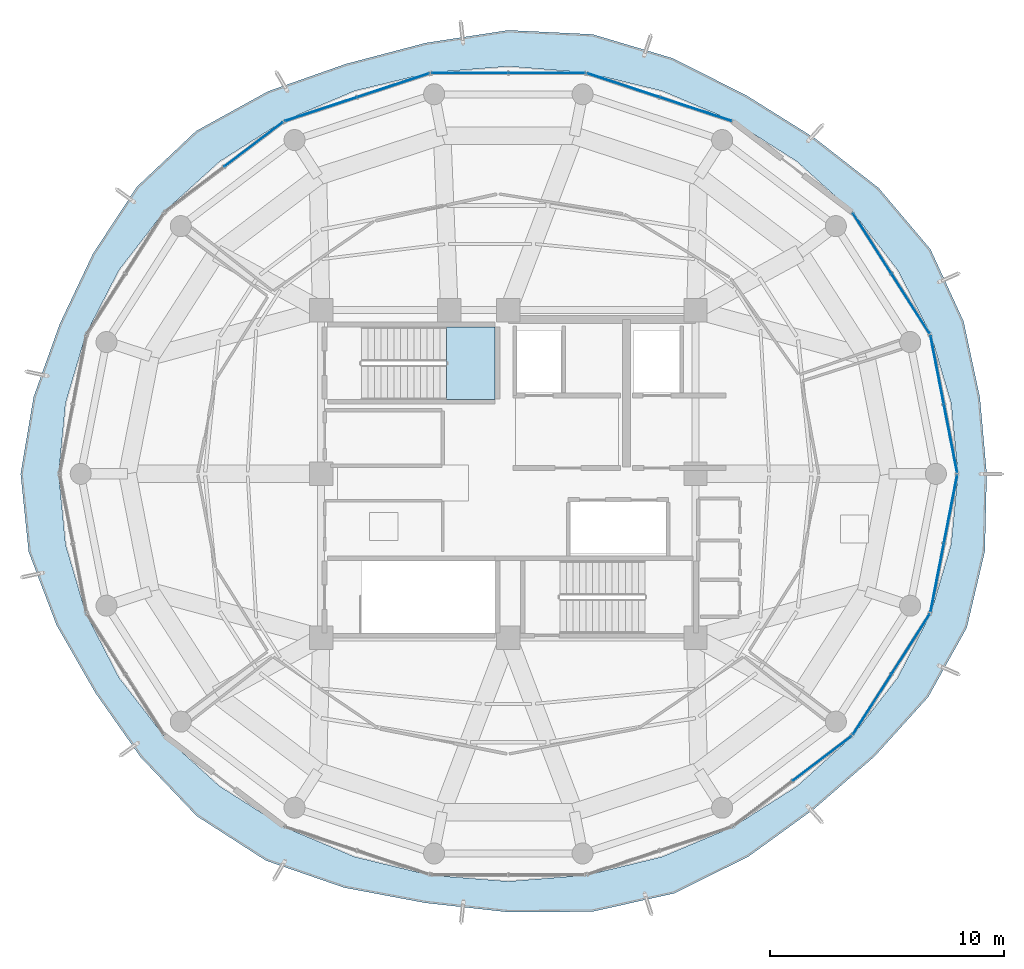
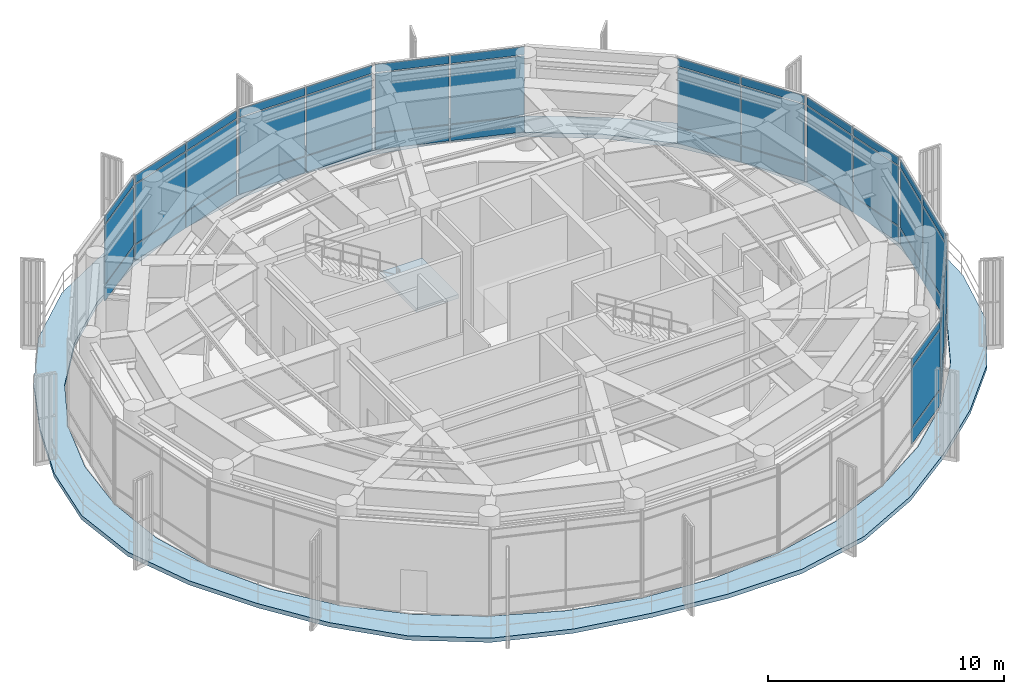
# One storey, part 17 of 23: 48 plates, 2 slabs, 10 elements without a shape of their own.
"""IFC4 building model written with IfcOpenShell, lengths in metres."""

from ifc_helpers import new_model, si_unit, direction, frame, origin, origin_2d, place, context, subcontext, project, spatial, polyline, rectangle, outline, extrude, source, transform, mapped, material, layer, layer_set, type_object, element, aggregate, save


model = new_model("IFC4")

# Units and contexts
model_context = context("Model", 3, precision=1e-05, world=origin(), true_north=direction((0.0, 1.0)))
body_context = subcontext(model_context, "Body", "Model", "MODEL_VIEW")
ifc_project = project(units=[si_unit("LENGTHUNIT", "METRE"), si_unit("AREAUNIT", "SQUARE_METRE"), si_unit("VOLUMEUNIT", "CUBIC_METRE"), si_unit("PLANEANGLEUNIT", "RADIAN"), si_unit("MASSUNIT", "GRAM", prefix="KILO")], contexts=[model_context])

# Site, building, storey
site_placement = place(None, origin())
site = spatial("IfcSite", under=ifc_project, at=site_placement, CompositionType="ELEMENT")
building_placement = place(site_placement, origin())
building = spatial("IfcBuilding", under=site, at=building_placement, Name="Kelanora Arch Commons", CompositionType="ELEMENT")
storey_placement = place(building_placement, frame((0.0, 0.0, 293.699951171875)))
storey = spatial("IfcBuildingStorey", under=building, at=storey_placement, Name="L75", CompositionType="ELEMENT", Elevation=293.699951171875)

# Stair, slab
ifc_material_1 = material(Name="Concrete C40/50", Category="concrete")
stair_type = type_object("IfcStairType", Name="STR-DL-480", PredefinedType="HALF_TURN_STAIR", material=ifc_material_1)
stair_placement = place(storey_placement, origin())
stair = element("IfcStair", 1, at=stair_placement, inside=storey, type_object=stair_type, Name="L75 ST-T1", PredefinedType="HALF_TURN_STAIR")
ifc_layer_1 = layer(ifc_material_1, 0.199951171875)
ifc_layer_set_1 = layer_set([ifc_layer_1], Name="Concrete C40/50")
slab_type_1 = type_object("IfcSlabType", Name="SLB-STAIR-LND", PredefinedType="LANDING", material=ifc_layer_set_1)
slab_1_placement = place(storey_placement, frame((0.0, 0.0, 2.199951171875)))
slab_1 = element("IfcSlab", 2, at=slab_1_placement, type_object=slab_type_1, Name="ST-T1 landing 1", PredefinedType="LANDING", context=body_context, shape_type="SweptSolid", body=[
    extrude(outline(polyline([(71.360107421875, 61.179931640625), (73.43994140625, 61.179931640625), (73.43994140625, 64.2900390625), (71.360107421875, 64.2900390625), (71.360107421875, 61.179931640625)])), origin(), (0.0, 0.0, 1.0), 0.2001953125),
])
aggregate(stair, [slab_1])

# Slab
ifc_layer_2 = layer(ifc_material_1, 0.219970703125)
ifc_layer_set_2 = layer_set([ifc_layer_2], Name="Concrete C40/50")
slab_type_2 = type_object("IfcSlabType", Name="SLB-WAVE-BAL", PredefinedType="FLOOR", material=ifc_layer_set_2)
slab_2_placement = place(storey_placement, frame((0.0, 0.0, -0.219970703125)))
element("IfcSlab", 3, at=slab_2_placement, inside=storey, type_object=slab_type_2, Name="Sinusoidal Wave Balcony Slab L75", PredefinedType="FLOOR", context=body_context, shape_type="SweptSolid", body=[
    extrude(outline(polyline([(94.45068359375, 58.0), (94.15869140625, 61.264892578125), (93.460693359375, 64.52099609375), (92.044677734375, 67.602783203125), (89.82958984375, 70.22314453125), (87.112548828125, 72.343017578125), (84.179931640625, 74.177001953125), (81.033447265625, 75.765625), (77.5986328125, 76.791259765625), (74.0, 76.965087890625), (70.46044921875, 76.42138671875), (67.046630859375, 75.5224609375), (63.727783203125, 74.353515625), (60.64990234375, 72.655517578125), (58.119384765625, 70.27001953125), (56.246337890625, 67.417236328125), (54.822509765625, 64.406982421875), (53.70751953125, 61.290771484375), (53.15087890625, 58.0), (53.495361328125, 54.66796875), (54.685302734375, 51.537841796875), (56.343505859375, 48.64453125), (58.28564453125, 45.8837890625), (60.674072265625, 43.37646484375), (63.635498046875, 41.469970703125), (66.991455078125, 40.310302734375), (70.472900390625, 39.65625), (74.0, 39.264892578125), (77.586181640625, 39.28662109375), (81.088623046875, 40.067138671875), (84.272216796875, 41.646484375), (87.08837890625, 43.688720703125), (89.66357421875, 45.930908203125), (91.947509765625, 48.458984375), (93.597900390625, 51.424072265625), (94.370849609375, 54.694091796875), (94.45068359375, 58.0)]), holes=[polyline([(92.927978515625, 54.97509765625), (92.060791015625, 52.0419921875), (90.64501953125, 49.2900390625), (88.723388671875, 46.802490234375), (86.3544921875, 44.655517578125), (83.610107421875, 42.913818359375), (80.573486328125, 41.630615234375), (77.33740234375, 40.844482421875), (74.0, 40.580078125), (70.66259765625, 40.844482421875), (67.426513671875, 41.630615234375), (64.389892578125, 42.913818359375), (61.6455078125, 44.655517578125), (59.276611328125, 46.802490234375), (57.35498046875, 49.2900390625), (55.939208984375, 52.0419921875), (55.072021484375, 54.97509765625), (54.780029296875, 58.0), (55.072021484375, 61.02490234375), (55.939208984375, 63.9580078125), (57.35498046875, 66.7099609375), (59.276611328125, 69.197509765625), (61.6455078125, 71.344482421875), (64.389892578125, 73.086181640625), (67.426513671875, 74.369384765625), (70.66259765625, 75.155517578125), (74.0, 75.419921875), (77.33740234375, 75.155517578125), (80.573486328125, 74.369384765625), (83.610107421875, 73.086181640625), (86.3544921875, 71.344482421875), (88.723388671875, 69.197509765625), (90.64501953125, 66.7099609375), (92.060791015625, 63.9580078125), (92.927978515625, 61.02490234375), (93.219970703125, 58.0), (92.927978515625, 54.97509765625)])]), origin(), (0.0, 0.0, 1.0), 0.219970703125),
])

# Curtain wall, plates
ifc_material_2 = material(Name="Terracotta ceramic-fritted low-E glass and aluminium", Category="masonry")
ifc_layer_3 = layer(ifc_material_2, 0.22509765625)
ifc_layer_set_3 = layer_set([ifc_layer_3], Name="Terracotta ceramic-fritted low-E glass and aluminium")
curtain_wall_type = type_object("IfcCurtainWallType", Name="CW-SYS-05", PredefinedType="NOTDEFINED", material=ifc_layer_set_3)
curtain_wall_1_placement = place(storey_placement, origin())
curtain_wall_1 = element("IfcCurtainWall", 4, at=curtain_wall_1_placement, inside=storey, type_object=curtain_wall_type, Name="Unitised Curtain Wall L75-B00", PredefinedType="NOTDEFINED")
ifc_material_3 = material(Name="Clear laminated solar-control double glazing", Category="glass")
ifc_layer_4 = layer(ifc_material_3, 0.033935546875)
ifc_layer_set_4 = layer_set([ifc_layer_4], Name="Clear laminated solar-control double glazing")
plate_type = type_object("IfcPlateType", Name="CWP-CLR", PredefinedType="CURTAIN_PANEL", material=ifc_layer_set_4)
shared_shape_1 = source(origin(), body_context, "Body", "SweptSolid", [
    extrude(rectangle(XDim=2.926513671875, YDim=0.033935546875, at=origin_2d()), origin(), (0.0, 0.0, 1.0), 0.81005859375),
])
plate_1_placement = place(storey_placement, frame((92.90625, 59.509765625, 0.06005859375), z_axis=(0.0, 0.0, 1.0), x_axis=(-0.190971701941, 0.981595542501, 0.0)))
plate_1 = element("IfcPlate", 5, at=plate_1_placement, type_object=plate_type, Name="CW-05 panel 1.1", PredefinedType="CURTAIN_PANEL", context=body_context, shape_type="MappedRepresentation", body=[
    mapped(shared_shape_1, transform((0.0, 0.0, 0.0), scale=1.0)),
])
plate_2_placement = place(storey_placement, frame((92.3359375, 62.44140625, 0.06005859375), z_axis=(0.0, 0.0, 1.0), x_axis=(-0.190971701941, 0.981595542501, 0.0)))
plate_2 = element("IfcPlate", 6, at=plate_2_placement, type_object=plate_type, Name="CW-05 panel 2.1", PredefinedType="CURTAIN_PANEL", context=body_context, shape_type="MappedRepresentation", body=[
    mapped(shared_shape_1, transform((0.0, 0.0, 0.0), scale=1.0)),
])

curtain_wall_2_placement = place(storey_placement, origin())
curtain_wall_2 = element("IfcCurtainWall", 7, at=curtain_wall_2_placement, inside=storey, type_object=curtain_wall_type, Name="Unitised Curtain Wall L75-B17", PredefinedType="NOTDEFINED")
plate_3_placement = place(storey_placement, frame((92.3359375, 53.55859375, 0.06005859375), z_axis=(0.0, 0.0, 1.0), x_axis=(0.190971701941, 0.981595542501, 0.0)))
plate_3 = element("IfcPlate", 8, at=plate_3_placement, type_object=plate_type, Name="CW-05 panel 1.1", PredefinedType="CURTAIN_PANEL", context=body_context, shape_type="MappedRepresentation", body=[
    mapped(shared_shape_1, transform((0.0, 0.0, 0.0), scale=1.0)),
])
plate_4_placement = place(storey_placement, frame((92.90625, 56.490234375, 0.06005859375), z_axis=(0.0, 0.0, 1.0), x_axis=(0.190971701941, 0.981595542501, 0.0)))
plate_4 = element("IfcPlate", 9, at=plate_4_placement, type_object=plate_type, Name="CW-05 panel 2.1", PredefinedType="CURTAIN_PANEL", context=body_context, shape_type="MappedRepresentation", body=[
    mapped(shared_shape_1, transform((0.0, 0.0, 0.0), scale=1.0)),
])

# Plate
shared_shape_2 = source(origin(), body_context, "Body", "SweptSolid", [
    extrude(rectangle(XDim=2.926513671875, YDim=0.033935546875, at=origin_2d()), origin(), (0.0, 0.0, 1.0), 3.06494140625),
])
plate_5_placement = place(storey_placement, frame((92.90625, 59.509765625, 0.93017578125), z_axis=(0.0, 0.0, 1.0), x_axis=(-0.190971701941, 0.981595542501, 0.0)))
plate_5 = element("IfcPlate", 10, at=plate_5_placement, type_object=plate_type, Name="CW-05 panel 1.2", PredefinedType="CURTAIN_PANEL", context=body_context, shape_type="MappedRepresentation", body=[
    mapped(shared_shape_2, transform((0.0, 0.0, 0.0), scale=1.0)),
])

plate_6_placement = place(storey_placement, frame((92.3359375, 62.44140625, 0.93017578125), z_axis=(0.0, 0.0, 1.0), x_axis=(-0.190971701941, 0.981595542501, 0.0)))
plate_6 = element("IfcPlate", 11, at=plate_6_placement, type_object=plate_type, Name="CW-05 panel 2.2", PredefinedType="CURTAIN_PANEL", context=body_context, shape_type="MappedRepresentation", body=[
    mapped(shared_shape_2, transform((0.0, 0.0, 0.0), scale=1.0)),
])

plate_7_placement = place(storey_placement, frame((92.3359375, 53.55859375, 0.93017578125), z_axis=(0.0, 0.0, 1.0), x_axis=(0.190971701941, 0.981595542501, 0.0)))
plate_7 = element("IfcPlate", 12, at=plate_7_placement, type_object=plate_type, Name="CW-05 panel 1.2", PredefinedType="CURTAIN_PANEL", context=body_context, shape_type="MappedRepresentation", body=[
    mapped(shared_shape_2, transform((0.0, 0.0, 0.0), scale=1.0)),
])

plate_8_placement = place(storey_placement, frame((92.90625, 56.490234375, 0.93017578125), z_axis=(0.0, 0.0, 1.0), x_axis=(0.190971701941, 0.981595542501, 0.0)))
plate_8 = element("IfcPlate", 13, at=plate_8_placement, type_object=plate_type, Name="CW-05 panel 2.2", PredefinedType="CURTAIN_PANEL", context=body_context, shape_type="MappedRepresentation", body=[
    mapped(shared_shape_2, transform((0.0, 0.0, 0.0), scale=1.0)),
])

shared_shape_3 = source(origin(), body_context, "Body", "SweptSolid", [
    extrude(rectangle(XDim=2.926513671875, YDim=0.033935546875, at=origin_2d()), origin(), (0.0, 0.0, 1.0), 0.409912109375),
])
plate_9_placement = place(storey_placement, frame((92.90625, 59.509765625, 4.05517578125), z_axis=(0.0, 0.0, 1.0), x_axis=(-0.190971701941, 0.981595542501, 0.0)))
plate_9 = element("IfcPlate", 14, at=plate_9_placement, type_object=plate_type, Name="CW-05 panel 1.3", PredefinedType="CURTAIN_PANEL", context=body_context, shape_type="MappedRepresentation", body=[
    mapped(shared_shape_3, transform((0.0, 0.0, 0.0), scale=1.0)),
])

plate_10_placement = place(storey_placement, frame((92.3359375, 62.44140625, 4.05517578125), z_axis=(0.0, 0.0, 1.0), x_axis=(-0.190971701941, 0.981595542501, 0.0)))
plate_10 = element("IfcPlate", 15, at=plate_10_placement, type_object=plate_type, Name="CW-05 panel 2.3", PredefinedType="CURTAIN_PANEL", context=body_context, shape_type="MappedRepresentation", body=[
    mapped(shared_shape_3, transform((0.0, 0.0, 0.0), scale=1.0)),
])

aggregate(curtain_wall_1, [plate_1, plate_5, plate_9, plate_2, plate_6, plate_10])

plate_11_placement = place(storey_placement, frame((92.3359375, 53.55859375, 4.05517578125), z_axis=(0.0, 0.0, 1.0), x_axis=(0.190971701941, 0.981595542501, 0.0)))
plate_11 = element("IfcPlate", 16, at=plate_11_placement, type_object=plate_type, Name="CW-05 panel 1.3", PredefinedType="CURTAIN_PANEL", context=body_context, shape_type="MappedRepresentation", body=[
    mapped(shared_shape_3, transform((0.0, 0.0, 0.0), scale=1.0)),
])

plate_12_placement = place(storey_placement, frame((92.90625, 56.490234375, 4.05517578125), z_axis=(0.0, 0.0, 1.0), x_axis=(0.190971701941, 0.981595542501, 0.0)))
plate_12 = element("IfcPlate", 17, at=plate_12_placement, type_object=plate_type, Name="CW-05 panel 2.3", PredefinedType="CURTAIN_PANEL", context=body_context, shape_type="MappedRepresentation", body=[
    mapped(shared_shape_3, transform((0.0, 0.0, 0.0), scale=1.0)),
])

aggregate(curtain_wall_2, [plate_3, plate_7, plate_11, plate_4, plate_8, plate_12])

# Curtain wall, plates
curtain_wall_3_placement = place(storey_placement, origin())
curtain_wall_3 = element("IfcCurtainWall", 18, at=curtain_wall_3_placement, inside=storey, type_object=curtain_wall_type, Name="Unitised Curtain Wall L75-B01", PredefinedType="NOTDEFINED")
shared_shape_4 = source(origin(), body_context, "Body", "SweptSolid", [
    extrude(rectangle(XDim=2.99755859375, YDim=0.033935546875, at=origin_2d()), origin(), (0.0, 0.0, 1.0), 0.81005859375),
])
plate_13_placement = place(storey_placement, frame((91.196533203125, 65.278564453125, 0.06005859375), z_axis=(0.0, 0.0, 1.0), x_axis=(-0.537299814397, 0.843391314545, 0.0)))
plate_13 = element("IfcPlate", 19, at=plate_13_placement, type_object=plate_type, Name="CW-05 panel 1.1", PredefinedType="CURTAIN_PANEL", context=body_context, shape_type="MappedRepresentation", body=[
    mapped(shared_shape_4, transform((0.0, 0.0, 0.0), scale=1.0)),
])
plate_14_placement = place(storey_placement, frame((89.5537109375, 67.857177734375, 0.06005859375), z_axis=(0.0, 0.0, 1.0), x_axis=(-0.537299814397, 0.843391314545, 0.0)))
plate_14 = element("IfcPlate", 20, at=plate_14_placement, type_object=plate_type, Name="CW-05 panel 2.1", PredefinedType="CURTAIN_PANEL", context=body_context, shape_type="MappedRepresentation", body=[
    mapped(shared_shape_4, transform((0.0, 0.0, 0.0), scale=1.0)),
])

curtain_wall_4_placement = place(storey_placement, origin())
curtain_wall_4 = element("IfcCurtainWall", 21, at=curtain_wall_4_placement, inside=storey, type_object=curtain_wall_type, Name="Unitised Curtain Wall L75-B16", PredefinedType="NOTDEFINED")
plate_15_placement = place(storey_placement, frame((89.5537109375, 48.142822265625, 0.06005859375), z_axis=(0.0, 0.0, 1.0), x_axis=(0.537299814397, 0.843391314545, 0.0)))
plate_15 = element("IfcPlate", 22, at=plate_15_placement, type_object=plate_type, Name="CW-05 panel 1.1", PredefinedType="CURTAIN_PANEL", context=body_context, shape_type="MappedRepresentation", body=[
    mapped(shared_shape_4, transform((0.0, 0.0, 0.0), scale=1.0)),
])
plate_16_placement = place(storey_placement, frame((91.196533203125, 50.721435546875, 0.06005859375), z_axis=(0.0, 0.0, 1.0), x_axis=(0.537299814397, 0.843391314545, 0.0)))
plate_16 = element("IfcPlate", 23, at=plate_16_placement, type_object=plate_type, Name="CW-05 panel 2.1", PredefinedType="CURTAIN_PANEL", context=body_context, shape_type="MappedRepresentation", body=[
    mapped(shared_shape_4, transform((0.0, 0.0, 0.0), scale=1.0)),
])

# Plate
shared_shape_5 = source(origin(), body_context, "Body", "SweptSolid", [
    extrude(rectangle(XDim=2.99755859375, YDim=0.033935546875, at=origin_2d()), origin(), (0.0, 0.0, 1.0), 3.06494140625),
])
plate_17_placement = place(storey_placement, frame((91.196533203125, 65.278564453125, 0.93017578125), z_axis=(0.0, 0.0, 1.0), x_axis=(-0.537299814397, 0.843391314545, 0.0)))
plate_17 = element("IfcPlate", 24, at=plate_17_placement, type_object=plate_type, Name="CW-05 panel 1.2", PredefinedType="CURTAIN_PANEL", context=body_context, shape_type="MappedRepresentation", body=[
    mapped(shared_shape_5, transform((0.0, 0.0, 0.0), scale=1.0)),
])

plate_18_placement = place(storey_placement, frame((89.5537109375, 67.857177734375, 0.93017578125), z_axis=(0.0, 0.0, 1.0), x_axis=(-0.537299814397, 0.843391314545, 0.0)))
plate_18 = element("IfcPlate", 25, at=plate_18_placement, type_object=plate_type, Name="CW-05 panel 2.2", PredefinedType="CURTAIN_PANEL", context=body_context, shape_type="MappedRepresentation", body=[
    mapped(shared_shape_5, transform((0.0, 0.0, 0.0), scale=1.0)),
])

plate_19_placement = place(storey_placement, frame((89.5537109375, 48.142822265625, 0.93017578125), z_axis=(0.0, 0.0, 1.0), x_axis=(0.537299814397, 0.843391314545, 0.0)))
plate_19 = element("IfcPlate", 26, at=plate_19_placement, type_object=plate_type, Name="CW-05 panel 1.2", PredefinedType="CURTAIN_PANEL", context=body_context, shape_type="MappedRepresentation", body=[
    mapped(shared_shape_5, transform((0.0, 0.0, 0.0), scale=1.0)),
])

plate_20_placement = place(storey_placement, frame((91.196533203125, 50.721435546875, 0.93017578125), z_axis=(0.0, 0.0, 1.0), x_axis=(0.537299814397, 0.843391314545, 0.0)))
plate_20 = element("IfcPlate", 27, at=plate_20_placement, type_object=plate_type, Name="CW-05 panel 2.2", PredefinedType="CURTAIN_PANEL", context=body_context, shape_type="MappedRepresentation", body=[
    mapped(shared_shape_5, transform((0.0, 0.0, 0.0), scale=1.0)),
])

shared_shape_6 = source(origin(), body_context, "Body", "SweptSolid", [
    extrude(rectangle(XDim=2.99755859375, YDim=0.033935546875, at=origin_2d()), origin(), (0.0, 0.0, 1.0), 0.409912109375),
])
plate_21_placement = place(storey_placement, frame((91.196533203125, 65.278564453125, 4.05517578125), z_axis=(0.0, 0.0, 1.0), x_axis=(-0.537299814397, 0.843391314545, 0.0)))
plate_21 = element("IfcPlate", 28, at=plate_21_placement, type_object=plate_type, Name="CW-05 panel 1.3", PredefinedType="CURTAIN_PANEL", context=body_context, shape_type="MappedRepresentation", body=[
    mapped(shared_shape_6, transform((0.0, 0.0, 0.0), scale=1.0)),
])

plate_22_placement = place(storey_placement, frame((89.5537109375, 67.857177734375, 4.05517578125), z_axis=(0.0, 0.0, 1.0), x_axis=(-0.537299814397, 0.843391314545, 0.0)))
plate_22 = element("IfcPlate", 29, at=plate_22_placement, type_object=plate_type, Name="CW-05 panel 2.3", PredefinedType="CURTAIN_PANEL", context=body_context, shape_type="MappedRepresentation", body=[
    mapped(shared_shape_6, transform((0.0, 0.0, 0.0), scale=1.0)),
])

aggregate(curtain_wall_3, [plate_13, plate_17, plate_21, plate_14, plate_18, plate_22])

plate_23_placement = place(storey_placement, frame((89.5537109375, 48.142822265625, 4.05517578125), z_axis=(0.0, 0.0, 1.0), x_axis=(0.537299814397, 0.843391314545, 0.0)))
plate_23 = element("IfcPlate", 30, at=plate_23_placement, type_object=plate_type, Name="CW-05 panel 1.3", PredefinedType="CURTAIN_PANEL", context=body_context, shape_type="MappedRepresentation", body=[
    mapped(shared_shape_6, transform((0.0, 0.0, 0.0), scale=1.0)),
])

plate_24_placement = place(storey_placement, frame((91.196533203125, 50.721435546875, 4.05517578125), z_axis=(0.0, 0.0, 1.0), x_axis=(0.537299814397, 0.843391314545, 0.0)))
plate_24 = element("IfcPlate", 31, at=plate_24_placement, type_object=plate_type, Name="CW-05 panel 2.3", PredefinedType="CURTAIN_PANEL", context=body_context, shape_type="MappedRepresentation", body=[
    mapped(shared_shape_6, transform((0.0, 0.0, 0.0), scale=1.0)),
])

aggregate(curtain_wall_4, [plate_15, plate_19, plate_23, plate_16, plate_20, plate_24])

# Curtain wall, plates
curtain_wall_5_placement = place(storey_placement, origin())
curtain_wall_5 = element("IfcCurtainWall", 32, at=curtain_wall_5_placement, inside=storey, type_object=curtain_wall_type, Name="Unitised Curtain Wall L75-B03", PredefinedType="NOTDEFINED")
shared_shape_7 = source(origin(), body_context, "Body", "SweptSolid", [
    extrude(rectangle(XDim=3.194091796875, YDim=0.033935546875, at=origin_2d()), origin(), (0.0, 0.0, 1.0), 0.81005859375),
])
plate_25_placement = place(storey_placement, frame((82.01220703125, 73.592529296875, 0.06005859375), z_axis=(0.0, 0.0, 1.0), x_axis=(-0.949669780752, 0.313252785344, 0.0)))
plate_25 = element("IfcPlate", 33, at=plate_25_placement, type_object=plate_type, Name="CW-05 panel 1.1", PredefinedType="CURTAIN_PANEL", context=body_context, shape_type="MappedRepresentation", body=[
    mapped(shared_shape_7, transform((0.0, 0.0, 0.0), scale=1.0)),
])
plate_26_placement = place(storey_placement, frame((78.921875, 74.61181640625, 0.06005859375), z_axis=(0.0, 0.0, 1.0), x_axis=(-0.949669780752, 0.313252785344, 0.0)))
plate_26 = element("IfcPlate", 34, at=plate_26_placement, type_object=plate_type, Name="CW-05 panel 2.1", PredefinedType="CURTAIN_PANEL", context=body_context, shape_type="MappedRepresentation", body=[
    mapped(shared_shape_7, transform((0.0, 0.0, 0.0), scale=1.0)),
])

curtain_wall_6_placement = place(storey_placement, origin())
curtain_wall_6 = element("IfcCurtainWall", 35, at=curtain_wall_6_placement, inside=storey, type_object=curtain_wall_type, Name="Unitised Curtain Wall L75-B05", PredefinedType="NOTDEFINED")
plate_27_placement = place(storey_placement, frame((69.078125, 74.61181640625, 0.06005859375), z_axis=(0.0, 0.0, 1.0), x_axis=(-0.949669780752, -0.313252785344, 0.0)))
plate_27 = element("IfcPlate", 36, at=plate_27_placement, type_object=plate_type, Name="CW-05 panel 1.1", PredefinedType="CURTAIN_PANEL", context=body_context, shape_type="MappedRepresentation", body=[
    mapped(shared_shape_7, transform((0.0, 0.0, 0.0), scale=1.0)),
])
plate_28_placement = place(storey_placement, frame((65.98779296875, 73.592529296875, 0.06005859375), z_axis=(0.0, 0.0, 1.0), x_axis=(-0.949669780752, -0.313252785344, 0.0)))
plate_28 = element("IfcPlate", 37, at=plate_28_placement, type_object=plate_type, Name="CW-05 panel 2.1", PredefinedType="CURTAIN_PANEL", context=body_context, shape_type="MappedRepresentation", body=[
    mapped(shared_shape_7, transform((0.0, 0.0, 0.0), scale=1.0)),
])

# Plate
shared_shape_8 = source(origin(), body_context, "Body", "SweptSolid", [
    extrude(rectangle(XDim=3.194091796875, YDim=0.033935546875, at=origin_2d()), origin(), (0.0, 0.0, 1.0), 3.06494140625),
])
plate_29_placement = place(storey_placement, frame((82.01220703125, 73.592529296875, 0.93017578125), z_axis=(0.0, 0.0, 1.0), x_axis=(-0.949669780752, 0.313252785344, 0.0)))
plate_29 = element("IfcPlate", 38, at=plate_29_placement, type_object=plate_type, Name="CW-05 panel 1.2", PredefinedType="CURTAIN_PANEL", context=body_context, shape_type="MappedRepresentation", body=[
    mapped(shared_shape_8, transform((0.0, 0.0, 0.0), scale=1.0)),
])

plate_30_placement = place(storey_placement, frame((78.921875, 74.61181640625, 0.93017578125), z_axis=(0.0, 0.0, 1.0), x_axis=(-0.949669780752, 0.313252785344, 0.0)))
plate_30 = element("IfcPlate", 39, at=plate_30_placement, type_object=plate_type, Name="CW-05 panel 2.2", PredefinedType="CURTAIN_PANEL", context=body_context, shape_type="MappedRepresentation", body=[
    mapped(shared_shape_8, transform((0.0, 0.0, 0.0), scale=1.0)),
])

plate_31_placement = place(storey_placement, frame((69.078125, 74.61181640625, 0.93017578125), z_axis=(0.0, 0.0, 1.0), x_axis=(-0.949669780752, -0.313252785344, 0.0)))
plate_31 = element("IfcPlate", 40, at=plate_31_placement, type_object=plate_type, Name="CW-05 panel 1.2", PredefinedType="CURTAIN_PANEL", context=body_context, shape_type="MappedRepresentation", body=[
    mapped(shared_shape_8, transform((0.0, 0.0, 0.0), scale=1.0)),
])

plate_32_placement = place(storey_placement, frame((65.98779296875, 73.592529296875, 0.93017578125), z_axis=(0.0, 0.0, 1.0), x_axis=(-0.949669780752, -0.313252785344, 0.0)))
plate_32 = element("IfcPlate", 41, at=plate_32_placement, type_object=plate_type, Name="CW-05 panel 2.2", PredefinedType="CURTAIN_PANEL", context=body_context, shape_type="MappedRepresentation", body=[
    mapped(shared_shape_8, transform((0.0, 0.0, 0.0), scale=1.0)),
])

shared_shape_9 = source(origin(), body_context, "Body", "SweptSolid", [
    extrude(rectangle(XDim=3.194091796875, YDim=0.033935546875, at=origin_2d()), origin(), (0.0, 0.0, 1.0), 0.409912109375),
])
plate_33_placement = place(storey_placement, frame((82.01220703125, 73.592529296875, 4.05517578125), z_axis=(0.0, 0.0, 1.0), x_axis=(-0.949669780752, 0.313252785344, 0.0)))
plate_33 = element("IfcPlate", 42, at=plate_33_placement, type_object=plate_type, Name="CW-05 panel 1.3", PredefinedType="CURTAIN_PANEL", context=body_context, shape_type="MappedRepresentation", body=[
    mapped(shared_shape_9, transform((0.0, 0.0, 0.0), scale=1.0)),
])

plate_34_placement = place(storey_placement, frame((78.921875, 74.61181640625, 4.05517578125), z_axis=(0.0, 0.0, 1.0), x_axis=(-0.949669780752, 0.313252785344, 0.0)))
plate_34 = element("IfcPlate", 43, at=plate_34_placement, type_object=plate_type, Name="CW-05 panel 2.3", PredefinedType="CURTAIN_PANEL", context=body_context, shape_type="MappedRepresentation", body=[
    mapped(shared_shape_9, transform((0.0, 0.0, 0.0), scale=1.0)),
])

aggregate(curtain_wall_5, [plate_25, plate_29, plate_33, plate_26, plate_30, plate_34])

plate_35_placement = place(storey_placement, frame((69.078125, 74.61181640625, 4.05517578125), z_axis=(0.0, 0.0, 1.0), x_axis=(-0.949669780752, -0.313252785344, 0.0)))
plate_35 = element("IfcPlate", 44, at=plate_35_placement, type_object=plate_type, Name="CW-05 panel 1.3", PredefinedType="CURTAIN_PANEL", context=body_context, shape_type="MappedRepresentation", body=[
    mapped(shared_shape_9, transform((0.0, 0.0, 0.0), scale=1.0)),
])

plate_36_placement = place(storey_placement, frame((65.98779296875, 73.592529296875, 4.05517578125), z_axis=(0.0, 0.0, 1.0), x_axis=(-0.949669780752, -0.313252785344, 0.0)))
plate_36 = element("IfcPlate", 45, at=plate_36_placement, type_object=plate_type, Name="CW-05 panel 2.3", PredefinedType="CURTAIN_PANEL", context=body_context, shape_type="MappedRepresentation", body=[
    mapped(shared_shape_9, transform((0.0, 0.0, 0.0), scale=1.0)),
])

aggregate(curtain_wall_6, [plate_27, plate_31, plate_35, plate_28, plate_32, plate_36])

# Curtain wall, plates
curtain_wall_7_placement = place(storey_placement, origin())
curtain_wall_7 = element("IfcCurtainWall", 46, at=curtain_wall_7_placement, inside=storey, type_object=curtain_wall_type, Name="Unitised Curtain Wall L75-B04", PredefinedType="NOTDEFINED")
shared_shape_10 = source(origin(), body_context, "Body", "SweptSolid", [
    extrude(rectangle(XDim=3.22900390625, YDim=0.033935546875, at=origin_2d()), origin(), (0.0, 0.0, 1.0), 0.81005859375),
])
plate_37_placement = place(storey_placement, frame((75.64453125, 75.1357421875, 0.06005859375), z_axis=(0.0, 0.0, 1.0), x_axis=(-1.0, 0.0, 0.0)))
plate_37 = element("IfcPlate", 47, at=plate_37_placement, type_object=plate_type, Name="CW-05 panel 1.1", PredefinedType="CURTAIN_PANEL", context=body_context, shape_type="MappedRepresentation", body=[
    mapped(shared_shape_10, transform((0.0, 0.0, 0.0), scale=1.0)),
])
plate_38_placement = place(storey_placement, frame((72.35546875, 75.1357421875, 0.06005859375), z_axis=(0.0, 0.0, 1.0), x_axis=(-1.0, 0.0, 0.0)))
plate_38 = element("IfcPlate", 48, at=plate_38_placement, type_object=plate_type, Name="CW-05 panel 2.1", PredefinedType="CURTAIN_PANEL", context=body_context, shape_type="MappedRepresentation", body=[
    mapped(shared_shape_10, transform((0.0, 0.0, 0.0), scale=1.0)),
])
shared_shape_11 = source(origin(), body_context, "Body", "SweptSolid", [
    extrude(rectangle(XDim=3.22900390625, YDim=0.033935546875, at=origin_2d()), origin(), (0.0, 0.0, 1.0), 3.06494140625),
])
plate_39_placement = place(storey_placement, frame((75.64453125, 75.1357421875, 0.93017578125), z_axis=(0.0, 0.0, 1.0), x_axis=(-1.0, 0.0, 0.0)))
plate_39 = element("IfcPlate", 49, at=plate_39_placement, type_object=plate_type, Name="CW-05 panel 1.2", PredefinedType="CURTAIN_PANEL", context=body_context, shape_type="MappedRepresentation", body=[
    mapped(shared_shape_11, transform((0.0, 0.0, 0.0), scale=1.0)),
])
plate_40_placement = place(storey_placement, frame((72.35546875, 75.1357421875, 0.93017578125), z_axis=(0.0, 0.0, 1.0), x_axis=(-1.0, 0.0, 0.0)))
plate_40 = element("IfcPlate", 50, at=plate_40_placement, type_object=plate_type, Name="CW-05 panel 2.2", PredefinedType="CURTAIN_PANEL", context=body_context, shape_type="MappedRepresentation", body=[
    mapped(shared_shape_11, transform((0.0, 0.0, 0.0), scale=1.0)),
])
shared_shape_12 = source(origin(), body_context, "Body", "SweptSolid", [
    extrude(rectangle(XDim=3.22900390625, YDim=0.033935546875, at=origin_2d()), origin(), (0.0, 0.0, 1.0), 0.409912109375),
])
plate_41_placement = place(storey_placement, frame((75.64453125, 75.1357421875, 4.05517578125), z_axis=(0.0, 0.0, 1.0), x_axis=(-1.0, 0.0, 0.0)))
plate_41 = element("IfcPlate", 51, at=plate_41_placement, type_object=plate_type, Name="CW-05 panel 1.3", PredefinedType="CURTAIN_PANEL", context=body_context, shape_type="MappedRepresentation", body=[
    mapped(shared_shape_12, transform((0.0, 0.0, 0.0), scale=1.0)),
])
plate_42_placement = place(storey_placement, frame((72.35546875, 75.1357421875, 4.05517578125), z_axis=(0.0, 0.0, 1.0), x_axis=(-1.0, 0.0, 0.0)))
plate_42 = element("IfcPlate", 52, at=plate_42_placement, type_object=plate_type, Name="CW-05 panel 2.3", PredefinedType="CURTAIN_PANEL", context=body_context, shape_type="MappedRepresentation", body=[
    mapped(shared_shape_12, transform((0.0, 0.0, 0.0), scale=1.0)),
])
aggregate(curtain_wall_7, [plate_37, plate_39, plate_41, plate_38, plate_40, plate_42])

# Curtain wall, plate
curtain_wall_8_placement = place(storey_placement, origin())
curtain_wall_8 = element("IfcCurtainWall", 53, at=curtain_wall_8_placement, inside=storey, type_object=curtain_wall_type, Name="Unitised Curtain Wall L75-B06", PredefinedType="NOTDEFINED")
shared_shape_13 = source(origin(), body_context, "Body", "SweptSolid", [
    extrude(rectangle(XDim=3.103515625, YDim=0.033935546875, at=origin_2d()), origin(), (0.0, 0.0, 1.0), 0.81005859375),
])
plate_43_placement = place(storey_placement, frame((63.10498046875, 72.083984375, 0.06005859375), z_axis=(0.0, 0.0, 1.0), x_axis=(-0.796008909174, -0.605284905243, 0.0)))
plate_43 = element("IfcPlate", 54, at=plate_43_placement, type_object=plate_type, Name="CW-05 panel 1.1", PredefinedType="CURTAIN_PANEL", context=body_context, shape_type="MappedRepresentation", body=[
    mapped(shared_shape_13, transform((0.0, 0.0, 0.0), scale=1.0)),
])

curtain_wall_9_placement = place(storey_placement, origin())
curtain_wall_9 = element("IfcCurtainWall", 55, at=curtain_wall_9_placement, inside=storey, type_object=curtain_wall_type, Name="Unitised Curtain Wall L75-B15", PredefinedType="NOTDEFINED")
plate_44_placement = place(storey_placement, frame((87.4130859375, 45.830810546875, 0.06005859375), z_axis=(0.0, 0.0, 1.0), x_axis=(0.796008909174, 0.605284905243, 0.0)))
plate_44 = element("IfcPlate", 56, at=plate_44_placement, type_object=plate_type, Name="CW-05 panel 2.1", PredefinedType="CURTAIN_PANEL", context=body_context, shape_type="MappedRepresentation", body=[
    mapped(shared_shape_13, transform((0.0, 0.0, 0.0), scale=1.0)),
])

# Plate
shared_shape_14 = source(origin(), body_context, "Body", "SweptSolid", [
    extrude(rectangle(XDim=3.103515625, YDim=0.033935546875, at=origin_2d()), origin(), (0.0, 0.0, 1.0), 3.06494140625),
])
plate_45_placement = place(storey_placement, frame((63.10498046875, 72.083984375, 0.93017578125), z_axis=(0.0, 0.0, 1.0), x_axis=(-0.796008909174, -0.605284905243, 0.0)))
plate_45 = element("IfcPlate", 57, at=plate_45_placement, type_object=plate_type, Name="CW-05 panel 1.2", PredefinedType="CURTAIN_PANEL", context=body_context, shape_type="MappedRepresentation", body=[
    mapped(shared_shape_14, transform((0.0, 0.0, 0.0), scale=1.0)),
])

plate_46_placement = place(storey_placement, frame((87.4130859375, 45.830810546875, 0.93017578125), z_axis=(0.0, 0.0, 1.0), x_axis=(0.796008909174, 0.605284905243, 0.0)))
plate_46 = element("IfcPlate", 58, at=plate_46_placement, type_object=plate_type, Name="CW-05 panel 2.2", PredefinedType="CURTAIN_PANEL", context=body_context, shape_type="MappedRepresentation", body=[
    mapped(shared_shape_14, transform((0.0, 0.0, 0.0), scale=1.0)),
])

shared_shape_15 = source(origin(), body_context, "Body", "SweptSolid", [
    extrude(rectangle(XDim=3.103515625, YDim=0.033935546875, at=origin_2d()), origin(), (0.0, 0.0, 1.0), 0.409912109375),
])
plate_47_placement = place(storey_placement, frame((63.10498046875, 72.083984375, 4.05517578125), z_axis=(0.0, 0.0, 1.0), x_axis=(-0.796008909174, -0.605284905243, 0.0)))
plate_47 = element("IfcPlate", 59, at=plate_47_placement, type_object=plate_type, Name="CW-05 panel 1.3", PredefinedType="CURTAIN_PANEL", context=body_context, shape_type="MappedRepresentation", body=[
    mapped(shared_shape_15, transform((0.0, 0.0, 0.0), scale=1.0)),
])

aggregate(curtain_wall_8, [plate_43, plate_45, plate_47])

plate_48_placement = place(storey_placement, frame((87.4130859375, 45.830810546875, 4.05517578125), z_axis=(0.0, 0.0, 1.0), x_axis=(0.796008909174, 0.605284905243, 0.0)))
plate_48 = element("IfcPlate", 60, at=plate_48_placement, type_object=plate_type, Name="CW-05 panel 2.3", PredefinedType="CURTAIN_PANEL", context=body_context, shape_type="MappedRepresentation", body=[
    mapped(shared_shape_15, transform((0.0, 0.0, 0.0), scale=1.0)),
])

aggregate(curtain_wall_9, [plate_44, plate_46, plate_48])

save(model, "model.ifc")
